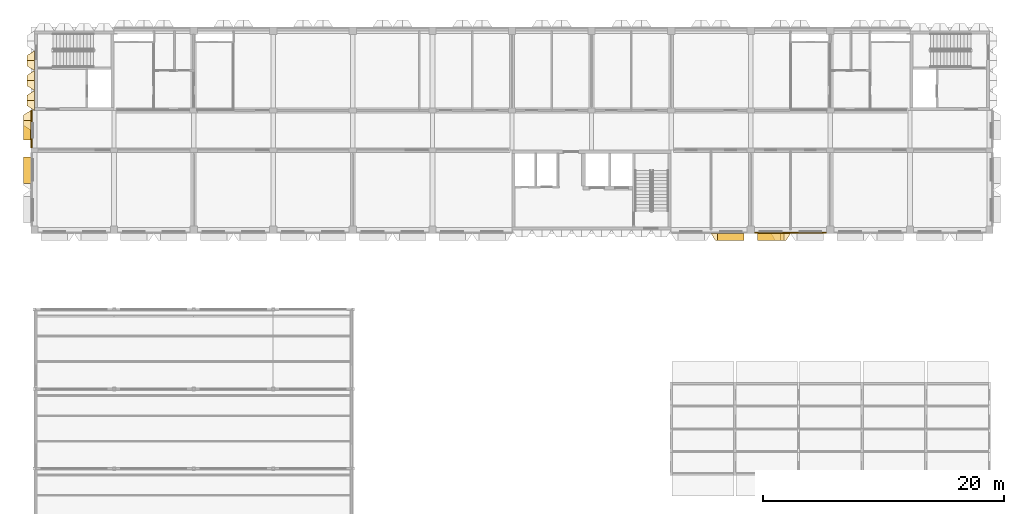
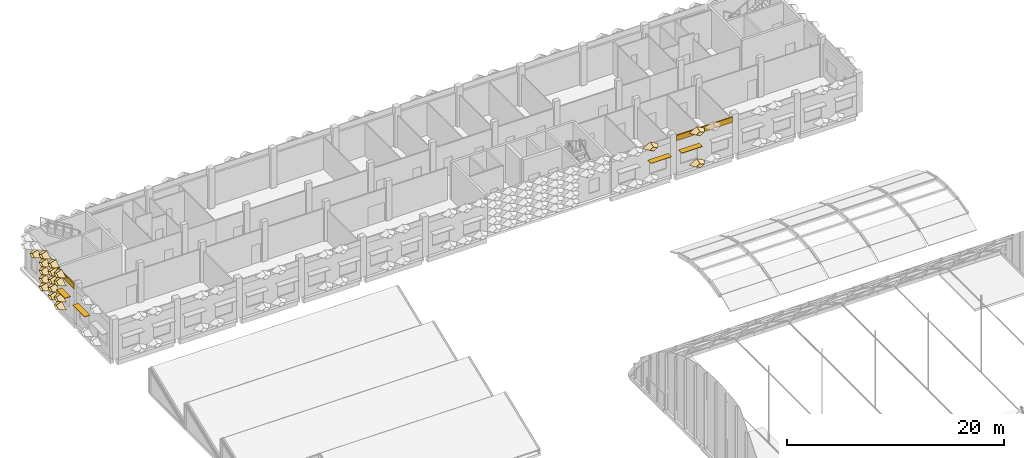
# One storey, part 89 of 109: 20 coverings, 4 shading devices.
"""IFC4 building model written with IfcOpenShell, lengths in metres."""

from ifc_helpers import new_model, entity, si_unit, direction, frame, frame_2d, origin, origin_2d, place, context, subcontext, project, spatial, rectangle, extrude, material, layer, layer_set, type_object, element, save


model = new_model("IFC4")

# Units and contexts
model_context = context("Model", 3, precision=1e-05, world=origin(), true_north=direction((0.0, 1.0)))
body_context = subcontext(model_context, "Body", "Model", "MODEL_VIEW")
ifc_project = project(units=[si_unit("LENGTHUNIT", "METRE"), si_unit("AREAUNIT", "SQUARE_METRE"), si_unit("VOLUMEUNIT", "CUBIC_METRE"), si_unit("PLANEANGLEUNIT", "RADIAN"), si_unit("MASSUNIT", "GRAM", prefix="KILO")], contexts=[model_context])

# Site, building, storey
site_placement = place(None, origin())
site = spatial("IfcSite", under=ifc_project, at=site_placement, CompositionType="ELEMENT")
building_placement = place(site_placement, origin())
building = spatial("IfcBuilding", under=site, at=building_placement, Name="Lantern Court Research Institute", CompositionType="ELEMENT")
storey_placement = place(building_placement, frame((0.0, 0.0, 14.39990234375)))
storey = spatial("IfcBuildingStorey", under=building, at=storey_placement, Name="L03", CompositionType="ELEMENT", Elevation=14.39990234375)

# Shading devices
ifc_material_1 = material(Name="Aluminium alloy 6063-T6", Category="aluminium")
ifc_layer_1 = layer(ifc_material_1, 0.050048828125)
ifc_layer_set_1 = layer_set([ifc_layer_1], Name="Aluminium alloy 6063-T6")
shading_device_type_1 = type_object("IfcShadingDeviceType", Name="Brise-soleil blade 1600 x 600 x 50 aluminium", PredefinedType="USERDEFINED", material=ifc_layer_set_1)
shading_device_placement = place(storey_placement, frame((-0.60009765625, 90.75, 2.39990234375), z_axis=(0.0, 0.0, 1.0), x_axis=(0.0, 1.0, 0.0)))
element("IfcShadingDevice", 1, at=shading_device_placement, inside=storey, type_object=shading_device_type_1, Name="Brise-soleil blade L03 W", ObjectType="LOUVRE", PredefinedType="USERDEFINED", context=body_context, shape_type="SweptSolid", body=[
    extrude(rectangle(XDim=1.60009765625, YDim=0.60009765625, at=origin_2d()), origin(), (0.0, 0.0, 1.0), 0.050048828125),
])
ifc_material_2 = material(Name="Aluminium alloy 6063-T6", Category="aluminium")
ifc_layer_2 = layer(ifc_material_2, 0.050048828125)
ifc_layer_set_2 = layer_set([ifc_layer_2], Name="Aluminium alloy 6063-T6")
shading_device_type_2 = type_object("IfcShadingDeviceType", Name="Brise-soleil blade 2200 x 600 x 50 aluminium", PredefinedType="USERDEFINED", material=ifc_layer_set_2)
for number, where, z_axis, x_axis, name in (
    (2, (57.75, 81.89990234375, 2.5), (0.0, 0.0, 1.0), (-1.0, 0.0, 0.0), "Brise-soleil blade L03 S"),
    (3, (61.050048828125, 81.89990234375, 2.5), (0.0, 0.0, 1.0), (-1.0, 0.0, 0.0), "Brise-soleil blade L03 S"),
    (4, (-0.60009765625, 87.449951171875, 2.5), (0.0, 0.0, 1.0), (0.0, 1.0, 0.0), "Brise-soleil blade L03 W"),
):
    element("IfcShadingDevice", number, at=place(storey_placement, frame(where, z_axis=z_axis, x_axis=x_axis)), inside=storey, type_object=shading_device_type_2, Name=name, ObjectType="LOUVRE", PredefinedType="USERDEFINED", context=body_context, shape_type="SweptSolid", body=[
        extrude(rectangle(XDim=2.199951171875, YDim=0.60009765625, at=origin_2d()), origin(), (0.0, 0.0, 1.0), 0.050048828125),
    ])

# Coverings
ifc_material_3 = material(Name="Aluminium composite panel with mineral wool insulation", Category="aluminium")
ifc_layer_3 = layer(ifc_material_3, 0.10009765625)
ifc_layer_set_3 = layer_set([ifc_layer_3], Name="Aluminium composite panel with mineral wool insulation")
covering_type_1 = type_object("IfcCoveringType", Name="Edge fascia panel 100 aluminium faced", PredefinedType="CLADDING", material=ifc_layer_set_3)
covering_1_placement = place(storey_placement, frame((65.699951171875, 82.25, 3.650146484375), z_axis=(0.0, 0.0, 1.0), x_axis=(-1.0, 0.0, 0.0)))
element("IfcCovering", 5, at=covering_1_placement, inside=storey, type_object=covering_type_1, Name="Edge fascia V6S L03 08", PredefinedType="CLADDING", context=body_context, shape_type="SweptSolid", body=[
    extrude(rectangle(XDim=6.0, YDim=0.10009765625, at=frame_2d((3.0, 0.0))), origin(), (0.0, 0.0, 1.0), 0.599853515625),
])
covering_2_placement = place(storey_placement, frame((-0.25, 89.300048828125, 3.650146484375), z_axis=(0.0, 0.0, 1.0), x_axis=(0.0, 1.0, 0.0)))
element("IfcCovering", 6, at=covering_2_placement, inside=storey, type_object=covering_type_1, Name="Edge fascia V6W L03 02", PredefinedType="CLADDING", context=body_context, shape_type="SweptSolid", body=[
    extrude(rectangle(XDim=3.099853515625, YDim=0.10009765625, at=frame_2d((1.5498046875, 0.0))), origin(), (0.0, 0.0, 1.0), 0.599853515625),
])
ifc_material_4 = material(Name="Anodised aluminium", Category="aluminium")
ifc_layer_4 = layer(ifc_material_4, 0.01611328125)
ifc_layer_set_4 = layer_set([ifc_layer_4], Name="Anodised aluminium")
covering_type_2 = type_object("IfcCoveringType", Name="Fin cassette 1650 x 900 x 600 aluminium", PredefinedType="CLADDING", material=ifc_layer_set_4)
covering_3_placement = place(storey_placement, frame((61.875, 82.199951171875, 0.4501953125), z_axis=(0.0, -1.0, 0.0), x_axis=(1.0, 0.0, 0.0)))
cartesian_point_1 = entity("IfcCartesianPoint", [0.824951171875, 0.0])
cartesian_point_2 = entity("IfcCartesianPoint", [0.79150390625, 0.0])
cartesian_point_3 = entity("IfcCartesianPoint", [0.44189453125, 0.0])
cartesian_point_4 = entity("IfcCartesianPoint", [0.43359375, 0.0])
element("IfcCovering", 7, at=covering_3_placement, inside=storey, type_object=covering_type_2, Name="Fin cassette V6S-L03 1.38", PredefinedType="CLADDING", context=body_context, shape_type="SweptSolid", body=[
    entity("IfcExtrudedAreaSolidTapered", entity("IfcArbitraryProfileDefWithVoids", "AREA", None, entity("IfcPolyline", [cartesian_point_1, entity("IfcCartesianPoint", [0.0, 0.449951171875]), entity("IfcCartesianPoint", [-0.824951171875, 0.0]), entity("IfcCartesianPoint", [0.0, -0.449951171875]), cartesian_point_1]), [entity("IfcPolyline", [cartesian_point_2, entity("IfcCartesianPoint", [0.0, 0.431884765625]), entity("IfcCartesianPoint", [-0.79150390625, 0.0]), entity("IfcCartesianPoint", [0.0, -0.431884765625]), cartesian_point_2])]), entity("IfcAxis2Placement3D", entity("IfcCartesianPoint", [0.0, 0.0, 0.0])), entity("IfcDirection", [0.0, 0.0, 1.0]), 0.60009765625, entity("IfcArbitraryProfileDefWithVoids", "AREA", None, entity("IfcPolyline", [cartesian_point_3, entity("IfcCartesianPoint", [0.0, 0.240966796875]), entity("IfcCartesianPoint", [-0.44189453125, 0.0]), entity("IfcCartesianPoint", [0.0, -0.240966796875]), cartesian_point_3]), [entity("IfcPolyline", [cartesian_point_4, entity("IfcCartesianPoint", [0.0, 0.236572265625]), entity("IfcCartesianPoint", [-0.43359375, 0.0]), entity("IfcCartesianPoint", [0.0, -0.236572265625]), cartesian_point_4])])),
])
covering_4_placement = place(storey_placement, frame((56.925048828125, 82.199951171875, 4.050048828125), z_axis=(0.0, -1.0, 0.0), x_axis=(1.0, 0.0, 0.0)))
cartesian_point_5 = entity("IfcCartesianPoint", [0.824951171875, 0.0])
cartesian_point_6 = entity("IfcCartesianPoint", [0.79150390625, 0.0])
cartesian_point_7 = entity("IfcCartesianPoint", [0.44189453125, 0.0])
cartesian_point_8 = entity("IfcCartesianPoint", [0.43359375, 0.0])
element("IfcCovering", 8, at=covering_4_placement, inside=storey, type_object=covering_type_2, Name="Fin cassette V6S-L03 5.35", PredefinedType="CLADDING", context=body_context, shape_type="SweptSolid", body=[
    entity("IfcExtrudedAreaSolidTapered", entity("IfcArbitraryProfileDefWithVoids", "AREA", None, entity("IfcPolyline", [cartesian_point_5, entity("IfcCartesianPoint", [0.0, 0.449951171875]), entity("IfcCartesianPoint", [-0.824951171875, 0.0]), entity("IfcCartesianPoint", [0.0, -0.449951171875]), cartesian_point_5]), [entity("IfcPolyline", [cartesian_point_6, entity("IfcCartesianPoint", [0.0, 0.431884765625]), entity("IfcCartesianPoint", [-0.79150390625, 0.0]), entity("IfcCartesianPoint", [0.0, -0.431884765625]), cartesian_point_6])]), entity("IfcAxis2Placement3D", entity("IfcCartesianPoint", [0.0, 0.0, 0.0])), entity("IfcDirection", [0.0, 0.0, 1.0]), 0.60009765625, entity("IfcArbitraryProfileDefWithVoids", "AREA", None, entity("IfcPolyline", [cartesian_point_7, entity("IfcCartesianPoint", [0.0, 0.240966796875]), entity("IfcCartesianPoint", [-0.44189453125, 0.0]), entity("IfcCartesianPoint", [0.0, -0.240966796875]), cartesian_point_7]), [entity("IfcPolyline", [cartesian_point_8, entity("IfcCartesianPoint", [0.0, 0.236572265625]), entity("IfcCartesianPoint", [-0.43359375, 0.0]), entity("IfcCartesianPoint", [0.0, -0.236572265625]), cartesian_point_8])])),
])
covering_5_placement = place(storey_placement, frame((61.875, 82.199951171875, 4.050048828125), z_axis=(0.0, -1.0, 0.0), x_axis=(1.0, 0.0, 0.0)))
cartesian_point_9 = entity("IfcCartesianPoint", [0.824951171875, 0.0])
cartesian_point_10 = entity("IfcCartesianPoint", [0.79150390625, 0.0])
cartesian_point_11 = entity("IfcCartesianPoint", [0.44189453125, 0.0])
cartesian_point_12 = entity("IfcCartesianPoint", [0.43359375, 0.0])
element("IfcCovering", 9, at=covering_5_placement, inside=storey, type_object=covering_type_2, Name="Fin cassette V6S-L03 5.38", PredefinedType="CLADDING", context=body_context, shape_type="SweptSolid", body=[
    entity("IfcExtrudedAreaSolidTapered", entity("IfcArbitraryProfileDefWithVoids", "AREA", None, entity("IfcPolyline", [cartesian_point_9, entity("IfcCartesianPoint", [0.0, 0.449951171875]), entity("IfcCartesianPoint", [-0.824951171875, 0.0]), entity("IfcCartesianPoint", [0.0, -0.449951171875]), cartesian_point_9]), [entity("IfcPolyline", [cartesian_point_10, entity("IfcCartesianPoint", [0.0, 0.431884765625]), entity("IfcCartesianPoint", [-0.79150390625, 0.0]), entity("IfcCartesianPoint", [0.0, -0.431884765625]), cartesian_point_10])]), entity("IfcAxis2Placement3D", entity("IfcCartesianPoint", [0.0, 0.0, 0.0])), entity("IfcDirection", [0.0, 0.0, 1.0]), 0.60009765625, entity("IfcArbitraryProfileDefWithVoids", "AREA", None, entity("IfcPolyline", [cartesian_point_11, entity("IfcCartesianPoint", [0.0, 0.240966796875]), entity("IfcCartesianPoint", [-0.44189453125, 0.0]), entity("IfcCartesianPoint", [0.0, -0.240966796875]), cartesian_point_11]), [entity("IfcPolyline", [cartesian_point_12, entity("IfcCartesianPoint", [0.0, 0.236572265625]), entity("IfcCartesianPoint", [-0.43359375, 0.0]), entity("IfcCartesianPoint", [0.0, -0.236572265625]), cartesian_point_12])])),
])
covering_6_placement = place(storey_placement, frame((0.0, 93.22509765625, 0.4501953125), z_axis=(-1.0, 0.0, 0.0), x_axis=(0.0, -1.0, 0.0)))
cartesian_point_13 = entity("IfcCartesianPoint", [0.824951171875, 0.0])
cartesian_point_14 = entity("IfcCartesianPoint", [0.79150390625, 0.0])
cartesian_point_15 = entity("IfcCartesianPoint", [0.44189453125, 0.0])
cartesian_point_16 = entity("IfcCartesianPoint", [0.43359375, 0.0])
element("IfcCovering", 10, at=covering_6_placement, inside=storey, type_object=covering_type_2, Name="Fin cassette V6W-L03 1.57", PredefinedType="CLADDING", context=body_context, shape_type="SweptSolid", body=[
    entity("IfcExtrudedAreaSolidTapered", entity("IfcArbitraryProfileDefWithVoids", "AREA", None, entity("IfcPolyline", [cartesian_point_13, entity("IfcCartesianPoint", [0.0, 0.449951171875]), entity("IfcCartesianPoint", [-0.824951171875, 0.0]), entity("IfcCartesianPoint", [0.0, -0.449951171875]), cartesian_point_13]), [entity("IfcPolyline", [cartesian_point_14, entity("IfcCartesianPoint", [0.0, 0.431884765625]), entity("IfcCartesianPoint", [-0.79150390625, 0.0]), entity("IfcCartesianPoint", [0.0, -0.431884765625]), cartesian_point_14])]), entity("IfcAxis2Placement3D", entity("IfcCartesianPoint", [0.0, 0.0, 0.0])), entity("IfcDirection", [0.0, 0.0, 1.0]), 0.60009765625, entity("IfcArbitraryProfileDefWithVoids", "AREA", None, entity("IfcPolyline", [cartesian_point_15, entity("IfcCartesianPoint", [0.0, 0.240966796875]), entity("IfcCartesianPoint", [-0.44189453125, 0.0]), entity("IfcCartesianPoint", [0.0, -0.240966796875]), cartesian_point_15]), [entity("IfcPolyline", [cartesian_point_16, entity("IfcCartesianPoint", [0.0, 0.236572265625]), entity("IfcCartesianPoint", [-0.43359375, 0.0]), entity("IfcCartesianPoint", [0.0, -0.236572265625]), cartesian_point_16])])),
])
covering_7_placement = place(storey_placement, frame((0.0, 94.875, 0.4501953125), z_axis=(-1.0, 0.0, 0.0), x_axis=(0.0, -1.0, 0.0)))
cartesian_point_17 = entity("IfcCartesianPoint", [0.824951171875, 0.0])
cartesian_point_18 = entity("IfcCartesianPoint", [0.79150390625, 0.0])
cartesian_point_19 = entity("IfcCartesianPoint", [0.44189453125, 0.0])
cartesian_point_20 = entity("IfcCartesianPoint", [0.43359375, 0.0])
element("IfcCovering", 11, at=covering_7_placement, inside=storey, type_object=covering_type_2, Name="Fin cassette V6W-L03 1.58", PredefinedType="CLADDING", context=body_context, shape_type="SweptSolid", body=[
    entity("IfcExtrudedAreaSolidTapered", entity("IfcArbitraryProfileDefWithVoids", "AREA", None, entity("IfcPolyline", [cartesian_point_17, entity("IfcCartesianPoint", [0.0, 0.449951171875]), entity("IfcCartesianPoint", [-0.824951171875, 0.0]), entity("IfcCartesianPoint", [0.0, -0.449951171875]), cartesian_point_17]), [entity("IfcPolyline", [cartesian_point_18, entity("IfcCartesianPoint", [0.0, 0.431884765625]), entity("IfcCartesianPoint", [-0.79150390625, 0.0]), entity("IfcCartesianPoint", [0.0, -0.431884765625]), cartesian_point_18])]), entity("IfcAxis2Placement3D", entity("IfcCartesianPoint", [0.0, 0.0, 0.0])), entity("IfcDirection", [0.0, 0.0, 1.0]), 0.60009765625, entity("IfcArbitraryProfileDefWithVoids", "AREA", None, entity("IfcPolyline", [cartesian_point_19, entity("IfcCartesianPoint", [0.0, 0.240966796875]), entity("IfcCartesianPoint", [-0.44189453125, 0.0]), entity("IfcCartesianPoint", [0.0, -0.240966796875]), cartesian_point_19]), [entity("IfcPolyline", [cartesian_point_20, entity("IfcCartesianPoint", [0.0, 0.236572265625]), entity("IfcCartesianPoint", [-0.43359375, 0.0]), entity("IfcCartesianPoint", [0.0, -0.236572265625]), cartesian_point_20])])),
])
covering_8_placement = place(storey_placement, frame((0.0, 93.22509765625, 1.35009765625), z_axis=(-1.0, 0.0, 0.0), x_axis=(0.0, -1.0, 0.0)))
cartesian_point_21 = entity("IfcCartesianPoint", [0.824951171875, 0.0])
cartesian_point_22 = entity("IfcCartesianPoint", [0.79150390625, 0.0])
cartesian_point_23 = entity("IfcCartesianPoint", [0.44189453125, 0.0])
cartesian_point_24 = entity("IfcCartesianPoint", [0.43359375, 0.0])
element("IfcCovering", 12, at=covering_8_placement, inside=storey, type_object=covering_type_2, Name="Fin cassette V6W-L03 2.57", PredefinedType="CLADDING", context=body_context, shape_type="SweptSolid", body=[
    entity("IfcExtrudedAreaSolidTapered", entity("IfcArbitraryProfileDefWithVoids", "AREA", None, entity("IfcPolyline", [cartesian_point_21, entity("IfcCartesianPoint", [0.0, 0.449951171875]), entity("IfcCartesianPoint", [-0.824951171875, 0.0]), entity("IfcCartesianPoint", [0.0, -0.449951171875]), cartesian_point_21]), [entity("IfcPolyline", [cartesian_point_22, entity("IfcCartesianPoint", [0.0, 0.431884765625]), entity("IfcCartesianPoint", [-0.79150390625, 0.0]), entity("IfcCartesianPoint", [0.0, -0.431884765625]), cartesian_point_22])]), entity("IfcAxis2Placement3D", entity("IfcCartesianPoint", [0.0, 0.0, 0.0])), entity("IfcDirection", [0.0, 0.0, 1.0]), 0.60009765625, entity("IfcArbitraryProfileDefWithVoids", "AREA", None, entity("IfcPolyline", [cartesian_point_23, entity("IfcCartesianPoint", [0.0, 0.240966796875]), entity("IfcCartesianPoint", [-0.44189453125, 0.0]), entity("IfcCartesianPoint", [0.0, -0.240966796875]), cartesian_point_23]), [entity("IfcPolyline", [cartesian_point_24, entity("IfcCartesianPoint", [0.0, 0.236572265625]), entity("IfcCartesianPoint", [-0.43359375, 0.0]), entity("IfcCartesianPoint", [0.0, -0.236572265625]), cartesian_point_24])])),
])
covering_9_placement = place(storey_placement, frame((0.0, 94.875, 1.35009765625), z_axis=(-1.0, 0.0, 0.0), x_axis=(0.0, -1.0, 0.0)))
cartesian_point_25 = entity("IfcCartesianPoint", [0.824951171875, 0.0])
cartesian_point_26 = entity("IfcCartesianPoint", [0.79150390625, 0.0])
cartesian_point_27 = entity("IfcCartesianPoint", [0.44189453125, 0.0])
cartesian_point_28 = entity("IfcCartesianPoint", [0.43359375, 0.0])
element("IfcCovering", 13, at=covering_9_placement, inside=storey, type_object=covering_type_2, Name="Fin cassette V6W-L03 2.58", PredefinedType="CLADDING", context=body_context, shape_type="SweptSolid", body=[
    entity("IfcExtrudedAreaSolidTapered", entity("IfcArbitraryProfileDefWithVoids", "AREA", None, entity("IfcPolyline", [cartesian_point_25, entity("IfcCartesianPoint", [0.0, 0.449951171875]), entity("IfcCartesianPoint", [-0.824951171875, 0.0]), entity("IfcCartesianPoint", [0.0, -0.449951171875]), cartesian_point_25]), [entity("IfcPolyline", [cartesian_point_26, entity("IfcCartesianPoint", [0.0, 0.431884765625]), entity("IfcCartesianPoint", [-0.79150390625, 0.0]), entity("IfcCartesianPoint", [0.0, -0.431884765625]), cartesian_point_26])]), entity("IfcAxis2Placement3D", entity("IfcCartesianPoint", [0.0, 0.0, 0.0])), entity("IfcDirection", [0.0, 0.0, 1.0]), 0.60009765625, entity("IfcArbitraryProfileDefWithVoids", "AREA", None, entity("IfcPolyline", [cartesian_point_27, entity("IfcCartesianPoint", [0.0, 0.240966796875]), entity("IfcCartesianPoint", [-0.44189453125, 0.0]), entity("IfcCartesianPoint", [0.0, -0.240966796875]), cartesian_point_27]), [entity("IfcPolyline", [cartesian_point_28, entity("IfcCartesianPoint", [0.0, 0.236572265625]), entity("IfcCartesianPoint", [-0.43359375, 0.0]), entity("IfcCartesianPoint", [0.0, -0.236572265625]), cartesian_point_28])])),
])
covering_10_placement = place(storey_placement, frame((0.0, 93.22509765625, 2.25), z_axis=(-1.0, 0.0, 0.0), x_axis=(0.0, -1.0, 0.0)))
cartesian_point_29 = entity("IfcCartesianPoint", [0.824951171875, 0.0])
cartesian_point_30 = entity("IfcCartesianPoint", [0.79150390625, 0.0])
cartesian_point_31 = entity("IfcCartesianPoint", [0.44189453125, 0.0])
cartesian_point_32 = entity("IfcCartesianPoint", [0.43359375, 0.0])
element("IfcCovering", 14, at=covering_10_placement, inside=storey, type_object=covering_type_2, Name="Fin cassette V6W-L03 3.57", PredefinedType="CLADDING", context=body_context, shape_type="SweptSolid", body=[
    entity("IfcExtrudedAreaSolidTapered", entity("IfcArbitraryProfileDefWithVoids", "AREA", None, entity("IfcPolyline", [cartesian_point_29, entity("IfcCartesianPoint", [0.0, 0.449951171875]), entity("IfcCartesianPoint", [-0.824951171875, 0.0]), entity("IfcCartesianPoint", [0.0, -0.449951171875]), cartesian_point_29]), [entity("IfcPolyline", [cartesian_point_30, entity("IfcCartesianPoint", [0.0, 0.431884765625]), entity("IfcCartesianPoint", [-0.79150390625, 0.0]), entity("IfcCartesianPoint", [0.0, -0.431884765625]), cartesian_point_30])]), entity("IfcAxis2Placement3D", entity("IfcCartesianPoint", [0.0, 0.0, 0.0])), entity("IfcDirection", [0.0, 0.0, 1.0]), 0.60009765625, entity("IfcArbitraryProfileDefWithVoids", "AREA", None, entity("IfcPolyline", [cartesian_point_31, entity("IfcCartesianPoint", [0.0, 0.240966796875]), entity("IfcCartesianPoint", [-0.44189453125, 0.0]), entity("IfcCartesianPoint", [0.0, -0.240966796875]), cartesian_point_31]), [entity("IfcPolyline", [cartesian_point_32, entity("IfcCartesianPoint", [0.0, 0.236572265625]), entity("IfcCartesianPoint", [-0.43359375, 0.0]), entity("IfcCartesianPoint", [0.0, -0.236572265625]), cartesian_point_32])])),
])
covering_11_placement = place(storey_placement, frame((0.0, 94.875, 2.25), z_axis=(-1.0, 0.0, 0.0), x_axis=(0.0, -1.0, 0.0)))
cartesian_point_33 = entity("IfcCartesianPoint", [0.824951171875, 0.0])
cartesian_point_34 = entity("IfcCartesianPoint", [0.79150390625, 0.0])
cartesian_point_35 = entity("IfcCartesianPoint", [0.44189453125, 0.0])
cartesian_point_36 = entity("IfcCartesianPoint", [0.43359375, 0.0])
element("IfcCovering", 15, at=covering_11_placement, inside=storey, type_object=covering_type_2, Name="Fin cassette V6W-L03 3.58", PredefinedType="CLADDING", context=body_context, shape_type="SweptSolid", body=[
    entity("IfcExtrudedAreaSolidTapered", entity("IfcArbitraryProfileDefWithVoids", "AREA", None, entity("IfcPolyline", [cartesian_point_33, entity("IfcCartesianPoint", [0.0, 0.449951171875]), entity("IfcCartesianPoint", [-0.824951171875, 0.0]), entity("IfcCartesianPoint", [0.0, -0.449951171875]), cartesian_point_33]), [entity("IfcPolyline", [cartesian_point_34, entity("IfcCartesianPoint", [0.0, 0.431884765625]), entity("IfcCartesianPoint", [-0.79150390625, 0.0]), entity("IfcCartesianPoint", [0.0, -0.431884765625]), cartesian_point_34])]), entity("IfcAxis2Placement3D", entity("IfcCartesianPoint", [0.0, 0.0, 0.0])), entity("IfcDirection", [0.0, 0.0, 1.0]), 0.60009765625, entity("IfcArbitraryProfileDefWithVoids", "AREA", None, entity("IfcPolyline", [cartesian_point_35, entity("IfcCartesianPoint", [0.0, 0.240966796875]), entity("IfcCartesianPoint", [-0.44189453125, 0.0]), entity("IfcCartesianPoint", [0.0, -0.240966796875]), cartesian_point_35]), [entity("IfcPolyline", [cartesian_point_36, entity("IfcCartesianPoint", [0.0, 0.236572265625]), entity("IfcCartesianPoint", [-0.43359375, 0.0]), entity("IfcCartesianPoint", [0.0, -0.236572265625]), cartesian_point_36])])),
])
covering_12_placement = place(storey_placement, frame((0.0, 93.22509765625, 3.150146484375), z_axis=(-1.0, 0.0, 0.0), x_axis=(0.0, -1.0, 0.0)))
cartesian_point_37 = entity("IfcCartesianPoint", [0.824951171875, 0.0])
cartesian_point_38 = entity("IfcCartesianPoint", [0.79150390625, 0.0])
cartesian_point_39 = entity("IfcCartesianPoint", [0.44189453125, 0.0])
cartesian_point_40 = entity("IfcCartesianPoint", [0.43359375, 0.0])
element("IfcCovering", 16, at=covering_12_placement, inside=storey, type_object=covering_type_2, Name="Fin cassette V6W-L03 4.57", PredefinedType="CLADDING", context=body_context, shape_type="SweptSolid", body=[
    entity("IfcExtrudedAreaSolidTapered", entity("IfcArbitraryProfileDefWithVoids", "AREA", None, entity("IfcPolyline", [cartesian_point_37, entity("IfcCartesianPoint", [0.0, 0.449951171875]), entity("IfcCartesianPoint", [-0.824951171875, 0.0]), entity("IfcCartesianPoint", [0.0, -0.449951171875]), cartesian_point_37]), [entity("IfcPolyline", [cartesian_point_38, entity("IfcCartesianPoint", [0.0, 0.431884765625]), entity("IfcCartesianPoint", [-0.79150390625, 0.0]), entity("IfcCartesianPoint", [0.0, -0.431884765625]), cartesian_point_38])]), entity("IfcAxis2Placement3D", entity("IfcCartesianPoint", [0.0, 0.0, 0.0])), entity("IfcDirection", [0.0, 0.0, 1.0]), 0.60009765625, entity("IfcArbitraryProfileDefWithVoids", "AREA", None, entity("IfcPolyline", [cartesian_point_39, entity("IfcCartesianPoint", [0.0, 0.240966796875]), entity("IfcCartesianPoint", [-0.44189453125, 0.0]), entity("IfcCartesianPoint", [0.0, -0.240966796875]), cartesian_point_39]), [entity("IfcPolyline", [cartesian_point_40, entity("IfcCartesianPoint", [0.0, 0.236572265625]), entity("IfcCartesianPoint", [-0.43359375, 0.0]), entity("IfcCartesianPoint", [0.0, -0.236572265625]), cartesian_point_40])])),
])
covering_13_placement = place(storey_placement, frame((0.0, 94.875, 3.150146484375), z_axis=(-1.0, 0.0, 0.0), x_axis=(0.0, -1.0, 0.0)))
cartesian_point_41 = entity("IfcCartesianPoint", [0.824951171875, 0.0])
cartesian_point_42 = entity("IfcCartesianPoint", [0.79150390625, 0.0])
cartesian_point_43 = entity("IfcCartesianPoint", [0.44189453125, 0.0])
cartesian_point_44 = entity("IfcCartesianPoint", [0.43359375, 0.0])
element("IfcCovering", 17, at=covering_13_placement, inside=storey, type_object=covering_type_2, Name="Fin cassette V6W-L03 4.58", PredefinedType="CLADDING", context=body_context, shape_type="SweptSolid", body=[
    entity("IfcExtrudedAreaSolidTapered", entity("IfcArbitraryProfileDefWithVoids", "AREA", None, entity("IfcPolyline", [cartesian_point_41, entity("IfcCartesianPoint", [0.0, 0.449951171875]), entity("IfcCartesianPoint", [-0.824951171875, 0.0]), entity("IfcCartesianPoint", [0.0, -0.449951171875]), cartesian_point_41]), [entity("IfcPolyline", [cartesian_point_42, entity("IfcCartesianPoint", [0.0, 0.431884765625]), entity("IfcCartesianPoint", [-0.79150390625, 0.0]), entity("IfcCartesianPoint", [0.0, -0.431884765625]), cartesian_point_42])]), entity("IfcAxis2Placement3D", entity("IfcCartesianPoint", [0.0, 0.0, 0.0])), entity("IfcDirection", [0.0, 0.0, 1.0]), 0.60009765625, entity("IfcArbitraryProfileDefWithVoids", "AREA", None, entity("IfcPolyline", [cartesian_point_43, entity("IfcCartesianPoint", [0.0, 0.240966796875]), entity("IfcCartesianPoint", [-0.44189453125, 0.0]), entity("IfcCartesianPoint", [0.0, -0.240966796875]), cartesian_point_43]), [entity("IfcPolyline", [cartesian_point_44, entity("IfcCartesianPoint", [0.0, 0.236572265625]), entity("IfcCartesianPoint", [-0.43359375, 0.0]), entity("IfcCartesianPoint", [0.0, -0.236572265625]), cartesian_point_44])])),
])
covering_14_placement = place(storey_placement, frame((0.0, 96.52490234375, 3.150146484375), z_axis=(-1.0, 0.0, 0.0), x_axis=(0.0, -1.0, 0.0)))
cartesian_point_45 = entity("IfcCartesianPoint", [0.824951171875, 0.0])
cartesian_point_46 = entity("IfcCartesianPoint", [0.79150390625, 0.0])
cartesian_point_47 = entity("IfcCartesianPoint", [0.44189453125, 0.0])
cartesian_point_48 = entity("IfcCartesianPoint", [0.43359375, 0.0])
element("IfcCovering", 18, at=covering_14_placement, inside=storey, type_object=covering_type_2, Name="Fin cassette V6W-L03 4.59", PredefinedType="CLADDING", context=body_context, shape_type="SweptSolid", body=[
    entity("IfcExtrudedAreaSolidTapered", entity("IfcArbitraryProfileDefWithVoids", "AREA", None, entity("IfcPolyline", [cartesian_point_45, entity("IfcCartesianPoint", [0.0, 0.449951171875]), entity("IfcCartesianPoint", [-0.824951171875, 0.0]), entity("IfcCartesianPoint", [0.0, -0.449951171875]), cartesian_point_45]), [entity("IfcPolyline", [cartesian_point_46, entity("IfcCartesianPoint", [0.0, 0.431884765625]), entity("IfcCartesianPoint", [-0.79150390625, 0.0]), entity("IfcCartesianPoint", [0.0, -0.431884765625]), cartesian_point_46])]), entity("IfcAxis2Placement3D", entity("IfcCartesianPoint", [0.0, 0.0, 0.0])), entity("IfcDirection", [0.0, 0.0, 1.0]), 0.60009765625, entity("IfcArbitraryProfileDefWithVoids", "AREA", None, entity("IfcPolyline", [cartesian_point_47, entity("IfcCartesianPoint", [0.0, 0.240966796875]), entity("IfcCartesianPoint", [-0.44189453125, 0.0]), entity("IfcCartesianPoint", [0.0, -0.240966796875]), cartesian_point_47]), [entity("IfcPolyline", [cartesian_point_48, entity("IfcCartesianPoint", [0.0, 0.236572265625]), entity("IfcCartesianPoint", [-0.43359375, 0.0]), entity("IfcCartesianPoint", [0.0, -0.236572265625]), cartesian_point_48])])),
])
covering_15_placement = place(storey_placement, frame((0.0, 93.22509765625, 4.050048828125), z_axis=(-1.0, 0.0, 0.0), x_axis=(0.0, -1.0, 0.0)))
cartesian_point_49 = entity("IfcCartesianPoint", [0.824951171875, 0.0])
cartesian_point_50 = entity("IfcCartesianPoint", [0.79150390625, 0.0])
cartesian_point_51 = entity("IfcCartesianPoint", [0.44189453125, 0.0])
cartesian_point_52 = entity("IfcCartesianPoint", [0.43359375, 0.0])
element("IfcCovering", 19, at=covering_15_placement, inside=storey, type_object=covering_type_2, Name="Fin cassette V6W-L03 5.57", PredefinedType="CLADDING", context=body_context, shape_type="SweptSolid", body=[
    entity("IfcExtrudedAreaSolidTapered", entity("IfcArbitraryProfileDefWithVoids", "AREA", None, entity("IfcPolyline", [cartesian_point_49, entity("IfcCartesianPoint", [0.0, 0.449951171875]), entity("IfcCartesianPoint", [-0.824951171875, 0.0]), entity("IfcCartesianPoint", [0.0, -0.449951171875]), cartesian_point_49]), [entity("IfcPolyline", [cartesian_point_50, entity("IfcCartesianPoint", [0.0, 0.431884765625]), entity("IfcCartesianPoint", [-0.79150390625, 0.0]), entity("IfcCartesianPoint", [0.0, -0.431884765625]), cartesian_point_50])]), entity("IfcAxis2Placement3D", entity("IfcCartesianPoint", [0.0, 0.0, 0.0])), entity("IfcDirection", [0.0, 0.0, 1.0]), 0.60009765625, entity("IfcArbitraryProfileDefWithVoids", "AREA", None, entity("IfcPolyline", [cartesian_point_51, entity("IfcCartesianPoint", [0.0, 0.240966796875]), entity("IfcCartesianPoint", [-0.44189453125, 0.0]), entity("IfcCartesianPoint", [0.0, -0.240966796875]), cartesian_point_51]), [entity("IfcPolyline", [cartesian_point_52, entity("IfcCartesianPoint", [0.0, 0.236572265625]), entity("IfcCartesianPoint", [-0.43359375, 0.0]), entity("IfcCartesianPoint", [0.0, -0.236572265625]), cartesian_point_52])])),
])
covering_16_placement = place(storey_placement, frame((0.0, 94.875, 4.050048828125), z_axis=(-1.0, 0.0, 0.0), x_axis=(0.0, -1.0, 0.0)))
cartesian_point_53 = entity("IfcCartesianPoint", [0.824951171875, 0.0])
cartesian_point_54 = entity("IfcCartesianPoint", [0.79150390625, 0.0])
cartesian_point_55 = entity("IfcCartesianPoint", [0.44189453125, 0.0])
cartesian_point_56 = entity("IfcCartesianPoint", [0.43359375, 0.0])
element("IfcCovering", 20, at=covering_16_placement, inside=storey, type_object=covering_type_2, Name="Fin cassette V6W-L03 5.58", PredefinedType="CLADDING", context=body_context, shape_type="SweptSolid", body=[
    entity("IfcExtrudedAreaSolidTapered", entity("IfcArbitraryProfileDefWithVoids", "AREA", None, entity("IfcPolyline", [cartesian_point_53, entity("IfcCartesianPoint", [0.0, 0.449951171875]), entity("IfcCartesianPoint", [-0.824951171875, 0.0]), entity("IfcCartesianPoint", [0.0, -0.449951171875]), cartesian_point_53]), [entity("IfcPolyline", [cartesian_point_54, entity("IfcCartesianPoint", [0.0, 0.431884765625]), entity("IfcCartesianPoint", [-0.79150390625, 0.0]), entity("IfcCartesianPoint", [0.0, -0.431884765625]), cartesian_point_54])]), entity("IfcAxis2Placement3D", entity("IfcCartesianPoint", [0.0, 0.0, 0.0])), entity("IfcDirection", [0.0, 0.0, 1.0]), 0.60009765625, entity("IfcArbitraryProfileDefWithVoids", "AREA", None, entity("IfcPolyline", [cartesian_point_55, entity("IfcCartesianPoint", [0.0, 0.240966796875]), entity("IfcCartesianPoint", [-0.44189453125, 0.0]), entity("IfcCartesianPoint", [0.0, -0.240966796875]), cartesian_point_55]), [entity("IfcPolyline", [cartesian_point_56, entity("IfcCartesianPoint", [0.0, 0.236572265625]), entity("IfcCartesianPoint", [-0.43359375, 0.0]), entity("IfcCartesianPoint", [0.0, -0.236572265625]), cartesian_point_56])])),
])
covering_17_placement = place(storey_placement, frame((-0.300048828125, 91.574951171875, 0.4501953125), z_axis=(-1.0, 0.0, 0.0), x_axis=(0.0, -1.0, 0.0)))
cartesian_point_57 = entity("IfcCartesianPoint", [0.824951171875, 0.0])
cartesian_point_58 = entity("IfcCartesianPoint", [0.79150390625, 0.0])
cartesian_point_59 = entity("IfcCartesianPoint", [0.44189453125, 0.0])
cartesian_point_60 = entity("IfcCartesianPoint", [0.43359375, 0.0])
element("IfcCovering", 21, at=covering_17_placement, inside=storey, type_object=covering_type_2, Name="Fin cassette V6W-L03 1.56", PredefinedType="CLADDING", context=body_context, shape_type="SweptSolid", body=[
    entity("IfcExtrudedAreaSolidTapered", entity("IfcArbitraryProfileDefWithVoids", "AREA", None, entity("IfcPolyline", [cartesian_point_57, entity("IfcCartesianPoint", [0.0, 0.449951171875]), entity("IfcCartesianPoint", [-0.824951171875, 0.0]), entity("IfcCartesianPoint", [0.0, -0.449951171875]), cartesian_point_57]), [entity("IfcPolyline", [cartesian_point_58, entity("IfcCartesianPoint", [0.0, 0.431884765625]), entity("IfcCartesianPoint", [-0.79150390625, 0.0]), entity("IfcCartesianPoint", [0.0, -0.431884765625]), cartesian_point_58])]), entity("IfcAxis2Placement3D", entity("IfcCartesianPoint", [0.0, 0.0, 0.0])), entity("IfcDirection", [0.0, 0.0, 1.0]), 0.60009765625, entity("IfcArbitraryProfileDefWithVoids", "AREA", None, entity("IfcPolyline", [cartesian_point_59, entity("IfcCartesianPoint", [0.0, 0.240966796875]), entity("IfcCartesianPoint", [-0.44189453125, 0.0]), entity("IfcCartesianPoint", [0.0, -0.240966796875]), cartesian_point_59]), [entity("IfcPolyline", [cartesian_point_60, entity("IfcCartesianPoint", [0.0, 0.236572265625]), entity("IfcCartesianPoint", [-0.43359375, 0.0]), entity("IfcCartesianPoint", [0.0, -0.236572265625]), cartesian_point_60])])),
])
covering_18_placement = place(storey_placement, frame((-0.300048828125, 91.574951171875, 1.35009765625), z_axis=(-1.0, 0.0, 0.0), x_axis=(0.0, -1.0, 0.0)))
cartesian_point_61 = entity("IfcCartesianPoint", [0.824951171875, 0.0])
cartesian_point_62 = entity("IfcCartesianPoint", [0.79150390625, 0.0])
cartesian_point_63 = entity("IfcCartesianPoint", [0.44189453125, 0.0])
cartesian_point_64 = entity("IfcCartesianPoint", [0.43359375, 0.0])
element("IfcCovering", 22, at=covering_18_placement, inside=storey, type_object=covering_type_2, Name="Fin cassette V6W-L03 2.56", PredefinedType="CLADDING", context=body_context, shape_type="SweptSolid", body=[
    entity("IfcExtrudedAreaSolidTapered", entity("IfcArbitraryProfileDefWithVoids", "AREA", None, entity("IfcPolyline", [cartesian_point_61, entity("IfcCartesianPoint", [0.0, 0.449951171875]), entity("IfcCartesianPoint", [-0.824951171875, 0.0]), entity("IfcCartesianPoint", [0.0, -0.449951171875]), cartesian_point_61]), [entity("IfcPolyline", [cartesian_point_62, entity("IfcCartesianPoint", [0.0, 0.431884765625]), entity("IfcCartesianPoint", [-0.79150390625, 0.0]), entity("IfcCartesianPoint", [0.0, -0.431884765625]), cartesian_point_62])]), entity("IfcAxis2Placement3D", entity("IfcCartesianPoint", [0.0, 0.0, 0.0])), entity("IfcDirection", [0.0, 0.0, 1.0]), 0.60009765625, entity("IfcArbitraryProfileDefWithVoids", "AREA", None, entity("IfcPolyline", [cartesian_point_63, entity("IfcCartesianPoint", [0.0, 0.240966796875]), entity("IfcCartesianPoint", [-0.44189453125, 0.0]), entity("IfcCartesianPoint", [0.0, -0.240966796875]), cartesian_point_63]), [entity("IfcPolyline", [cartesian_point_64, entity("IfcCartesianPoint", [0.0, 0.236572265625]), entity("IfcCartesianPoint", [-0.43359375, 0.0]), entity("IfcCartesianPoint", [0.0, -0.236572265625]), cartesian_point_64])])),
])
covering_19_placement = place(storey_placement, frame((-0.300048828125, 91.574951171875, 3.150146484375), z_axis=(-1.0, 0.0, 0.0), x_axis=(0.0, -1.0, 0.0)))
cartesian_point_65 = entity("IfcCartesianPoint", [0.824951171875, 0.0])
cartesian_point_66 = entity("IfcCartesianPoint", [0.79150390625, 0.0])
cartesian_point_67 = entity("IfcCartesianPoint", [0.44189453125, 0.0])
cartesian_point_68 = entity("IfcCartesianPoint", [0.43359375, 0.0])
element("IfcCovering", 23, at=covering_19_placement, inside=storey, type_object=covering_type_2, Name="Fin cassette V6W-L03 4.56", PredefinedType="CLADDING", context=body_context, shape_type="SweptSolid", body=[
    entity("IfcExtrudedAreaSolidTapered", entity("IfcArbitraryProfileDefWithVoids", "AREA", None, entity("IfcPolyline", [cartesian_point_65, entity("IfcCartesianPoint", [0.0, 0.449951171875]), entity("IfcCartesianPoint", [-0.824951171875, 0.0]), entity("IfcCartesianPoint", [0.0, -0.449951171875]), cartesian_point_65]), [entity("IfcPolyline", [cartesian_point_66, entity("IfcCartesianPoint", [0.0, 0.431884765625]), entity("IfcCartesianPoint", [-0.79150390625, 0.0]), entity("IfcCartesianPoint", [0.0, -0.431884765625]), cartesian_point_66])]), entity("IfcAxis2Placement3D", entity("IfcCartesianPoint", [0.0, 0.0, 0.0])), entity("IfcDirection", [0.0, 0.0, 1.0]), 0.60009765625, entity("IfcArbitraryProfileDefWithVoids", "AREA", None, entity("IfcPolyline", [cartesian_point_67, entity("IfcCartesianPoint", [0.0, 0.240966796875]), entity("IfcCartesianPoint", [-0.44189453125, 0.0]), entity("IfcCartesianPoint", [0.0, -0.240966796875]), cartesian_point_67]), [entity("IfcPolyline", [cartesian_point_68, entity("IfcCartesianPoint", [0.0, 0.236572265625]), entity("IfcCartesianPoint", [-0.43359375, 0.0]), entity("IfcCartesianPoint", [0.0, -0.236572265625]), cartesian_point_68])])),
])
covering_20_placement = place(storey_placement, frame((-0.300048828125, 91.574951171875, 4.050048828125), z_axis=(-1.0, 0.0, 0.0), x_axis=(0.0, -1.0, 0.0)))
cartesian_point_69 = entity("IfcCartesianPoint", [0.824951171875, 0.0])
cartesian_point_70 = entity("IfcCartesianPoint", [0.79150390625, 0.0])
cartesian_point_71 = entity("IfcCartesianPoint", [0.44189453125, 0.0])
cartesian_point_72 = entity("IfcCartesianPoint", [0.43359375, 0.0])
element("IfcCovering", 24, at=covering_20_placement, inside=storey, type_object=covering_type_2, Name="Fin cassette V6W-L03 5.56", PredefinedType="CLADDING", context=body_context, shape_type="SweptSolid", body=[
    entity("IfcExtrudedAreaSolidTapered", entity("IfcArbitraryProfileDefWithVoids", "AREA", None, entity("IfcPolyline", [cartesian_point_69, entity("IfcCartesianPoint", [0.0, 0.449951171875]), entity("IfcCartesianPoint", [-0.824951171875, 0.0]), entity("IfcCartesianPoint", [0.0, -0.449951171875]), cartesian_point_69]), [entity("IfcPolyline", [cartesian_point_70, entity("IfcCartesianPoint", [0.0, 0.431884765625]), entity("IfcCartesianPoint", [-0.79150390625, 0.0]), entity("IfcCartesianPoint", [0.0, -0.431884765625]), cartesian_point_70])]), entity("IfcAxis2Placement3D", entity("IfcCartesianPoint", [0.0, 0.0, 0.0])), entity("IfcDirection", [0.0, 0.0, 1.0]), 0.60009765625, entity("IfcArbitraryProfileDefWithVoids", "AREA", None, entity("IfcPolyline", [cartesian_point_71, entity("IfcCartesianPoint", [0.0, 0.240966796875]), entity("IfcCartesianPoint", [-0.44189453125, 0.0]), entity("IfcCartesianPoint", [0.0, -0.240966796875]), cartesian_point_71]), [entity("IfcPolyline", [cartesian_point_72, entity("IfcCartesianPoint", [0.0, 0.236572265625]), entity("IfcCartesianPoint", [-0.43359375, 0.0]), entity("IfcCartesianPoint", [0.0, -0.236572265625]), cartesian_point_72])])),
])

save(model, "model.ifc")
